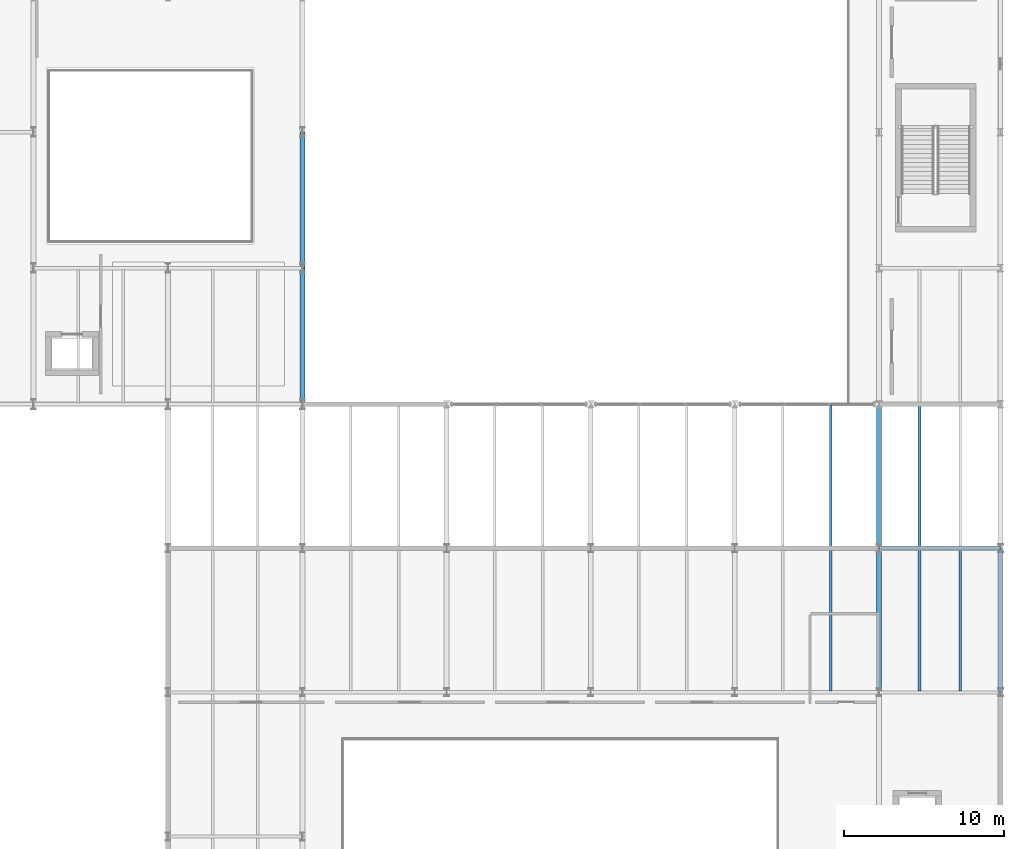
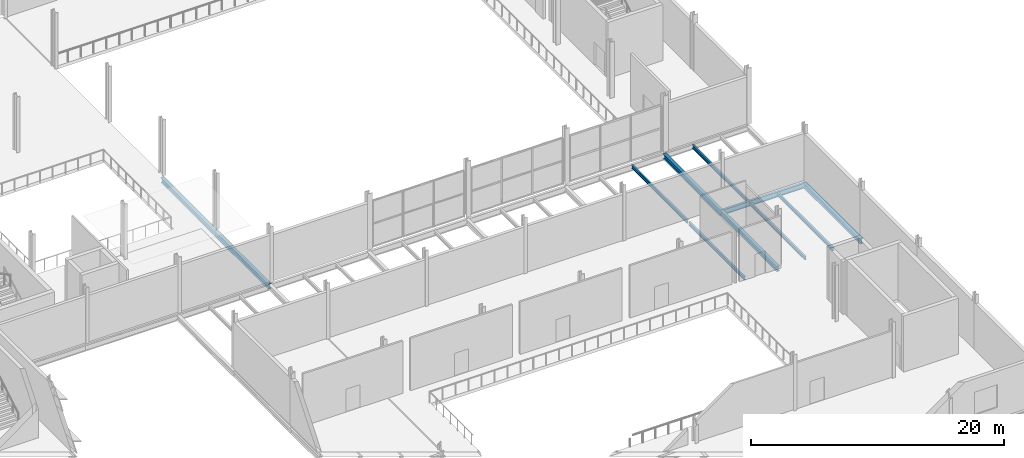
# One storey, part 36 of 78: 11 beams.
"""IFC4 building model written with IfcOpenShell, lengths in metres."""

from ifc_helpers import new_model, si_unit, direction, frame, origin, origin_2d, place, context, subcontext, project, spatial, i_section, extrude, material, material_profile, profile_set, type_object, element, save


model = new_model("IFC4")

# Units and contexts
model_context = context("Model", 3, precision=1e-05, world=origin(), true_north=direction((0.0, 1.0)))
body_context = subcontext(model_context, "Body", "Model", "MODEL_VIEW")
ifc_project = project(units=[si_unit("LENGTHUNIT", "METRE"), si_unit("AREAUNIT", "SQUARE_METRE"), si_unit("VOLUMEUNIT", "CUBIC_METRE"), si_unit("PLANEANGLEUNIT", "RADIAN"), si_unit("MASSUNIT", "GRAM", prefix="KILO")], contexts=[model_context])

# Site, building, storey
site_placement = place(None, origin())
site = spatial("IfcSite", under=ifc_project, at=site_placement, CompositionType="ELEMENT")
building_placement = place(site_placement, origin())
building = spatial("IfcBuilding", under=site, at=building_placement, Name="Sefraquen Railside Congress Hotel", CompositionType="ELEMENT")
storey_placement = place(building_placement, frame((0.0, 0.0, 6.0)))
storey = spatial("IfcBuildingStorey", under=building, at=storey_placement, Name="L01", CompositionType="ELEMENT", Elevation=6.0)

# Beams
ifc_material = material(Name="Steel S355JR", Category="steel")
ifc_material_profile_1 = material_profile(ifc_material, i_section(OverallWidth=0.199951171875, OverallDepth=0.5, WebThickness=0.01025390625, FlangeThickness=0.01611328125, FilletRadius=0.02099609375, at=origin_2d()), Name="IPE 500")
ifc_profile_set_1 = profile_set([ifc_material_profile_1], Name="Steel S355JR")
beam_type_1 = type_object("IfcBeamType", Name="TB-BM-500", PredefinedType="BEAM", material=ifc_profile_set_1)
beam_placement = place(storey_placement, frame((164.39990234375, 45.0, -0.550048828125), z_axis=(1.0, 0.0, 0.0), x_axis=(0.0, 1.0, 0.0)))
element("IfcBeam", 1, at=beam_placement, inside=storey, type_object=beam_type_1, Name="Primary girder BM-L01-0391", PredefinedType="BEAM", context=body_context, shape_type="SweptSolid", body=[
    extrude(i_section(OverallWidth=0.199951171875, OverallDepth=0.5, WebThickness=0.01025390625, FlangeThickness=0.01611328125, FilletRadius=0.02099609375, at=origin_2d()), origin(), (0.0, 0.0, 1.0), 7.60009765625),
])
ifc_material_profile_2 = material_profile(ifc_material, i_section(OverallWidth=0.300048828125, OverallDepth=0.489990234375, WebThickness=0.011962890625, FlangeThickness=0.02294921875, FilletRadius=0.027099609375, at=origin_2d()), Name="HEA 500")
ifc_profile_set_2 = profile_set([ifc_material_profile_2], Name="Steel S355JR")
beam_type_2 = type_object("IfcBeamType", Name="TB-GIR-500", PredefinedType="T_BEAM", material=ifc_profile_set_2)
for number, where, z_axis, x_axis, name in (
    (2, (128.39990234375, 54.0, -0.544921875), (0.0, 1.0, 0.0), (-1.0, 0.0, 0.0), "Floor beam BM-L01-0641"),
    (3, (128.39990234375, 62.5, -0.544921875), (0.0, 1.0, 0.0), (-1.0, 0.0, 0.0), "Floor beam BM-L01-0642"),
):
    element("IfcBeam", number, at=place(storey_placement, frame(where, z_axis=z_axis, x_axis=x_axis)), inside=storey, type_object=beam_type_2, Name=name, PredefinedType="T_BEAM", context=body_context, shape_type="SweptSolid", body=[
        extrude(i_section(OverallWidth=0.300048828125, OverallDepth=0.489990234375, WebThickness=0.011962890625, FlangeThickness=0.02294921875, FilletRadius=0.027099609375, at=origin_2d()), origin(), (0.0, 0.0, 1.0), 8.5),
    ])
for number, where, z_axis, x_axis, name in (
    (4, (164.39990234375, 36.0, -0.544921875), (0.0, 1.0, 0.0), (-1.0, 0.0, 0.0), "Floor beam BM-L01-0658"),
    (5, (164.39990234375, 45.0, -0.544921875), (0.0, 1.0, 0.0), (-1.0, 0.0, 0.0), "Floor beam BM-L01-0659"),
    (6, (172.0, 36.0, -0.544921875), (0.0, 1.0, 0.0), (-1.0, 0.0, 0.0), "Floor beam BM-L01-0668"),
):
    element("IfcBeam", number, at=place(storey_placement, frame(where, z_axis=z_axis, x_axis=x_axis)), inside=storey, type_object=beam_type_2, Name=name, PredefinedType="T_BEAM", context=body_context, shape_type="SweptSolid", body=[
        extrude(i_section(OverallWidth=0.300048828125, OverallDepth=0.489990234375, WebThickness=0.011962890625, FlangeThickness=0.02294921875, FilletRadius=0.027099609375, at=origin_2d()), origin(), (0.0, 0.0, 1.0), 9.0),
    ])
ifc_material_profile_3 = material_profile(ifc_material, i_section(OverallWidth=0.159912109375, OverallDepth=0.330078125, WebThickness=0.007568359375, FlangeThickness=0.011474609375, FilletRadius=0.01806640625, at=origin_2d()), Name="IPE 330")
ifc_profile_set_3 = profile_set([ifc_material_profile_3], Name="Steel S355JR")
beam_type_3 = type_object("IfcBeamType", Name="TB-JST-330", PredefinedType="JOIST", material=ifc_profile_set_3)
for number, where, z_axis, x_axis, name in (
    (7, (161.39990234375, 36.090087890625, -0.465087890625), (0.0, 1.0, 0.0), (-1.0, 0.0, 0.0), "Composite floor joist BM-L01-J0411"),
    (8, (161.39990234375, 45.090087890625, -0.465087890625), (0.0, 1.0, 0.0), (-1.0, 0.0, 0.0), "Composite floor joist BM-L01-J0413"),
):
    element("IfcBeam", number, at=place(storey_placement, frame(where, z_axis=z_axis, x_axis=x_axis)), inside=storey, type_object=beam_type_3, Name=name, PredefinedType="JOIST", context=body_context, shape_type="SweptSolid", body=[
        extrude(i_section(OverallWidth=0.159912109375, OverallDepth=0.330078125, WebThickness=0.007568359375, FlangeThickness=0.011474609375, FilletRadius=0.01806640625, at=origin_2d()), origin(), (0.0, 0.0, 1.0), 8.81982421875),
    ])
for number, where, z_axis, x_axis, name in (
    (9, (166.933349609375, 36.080078125, -0.465087890625), (0.0, 1.0, 0.0), (-1.0, 0.0, 0.0), "Composite floor joist BM-L01-J0416"),
    (10, (169.466796875, 36.080078125, -0.465087890625), (0.0, 1.0, 0.0), (-1.0, 0.0, 0.0), "Composite floor joist BM-L01-J0417"),
    (11, (166.933349609375, 45.080078125, -0.465087890625), (0.0, 1.0, 0.0), (-1.0, 0.0, 0.0), "Composite floor joist BM-L01-J0418"),
):
    element("IfcBeam", number, at=place(storey_placement, frame(where, z_axis=z_axis, x_axis=x_axis)), inside=storey, type_object=beam_type_3, Name=name, PredefinedType="JOIST", context=body_context, shape_type="SweptSolid", body=[
        extrude(i_section(OverallWidth=0.159912109375, OverallDepth=0.330078125, WebThickness=0.007568359375, FlangeThickness=0.011474609375, FilletRadius=0.01806640625, at=origin_2d()), origin(), (0.0, 0.0, 1.0), 8.83984375),
    ])

save(model, "model.ifc")
